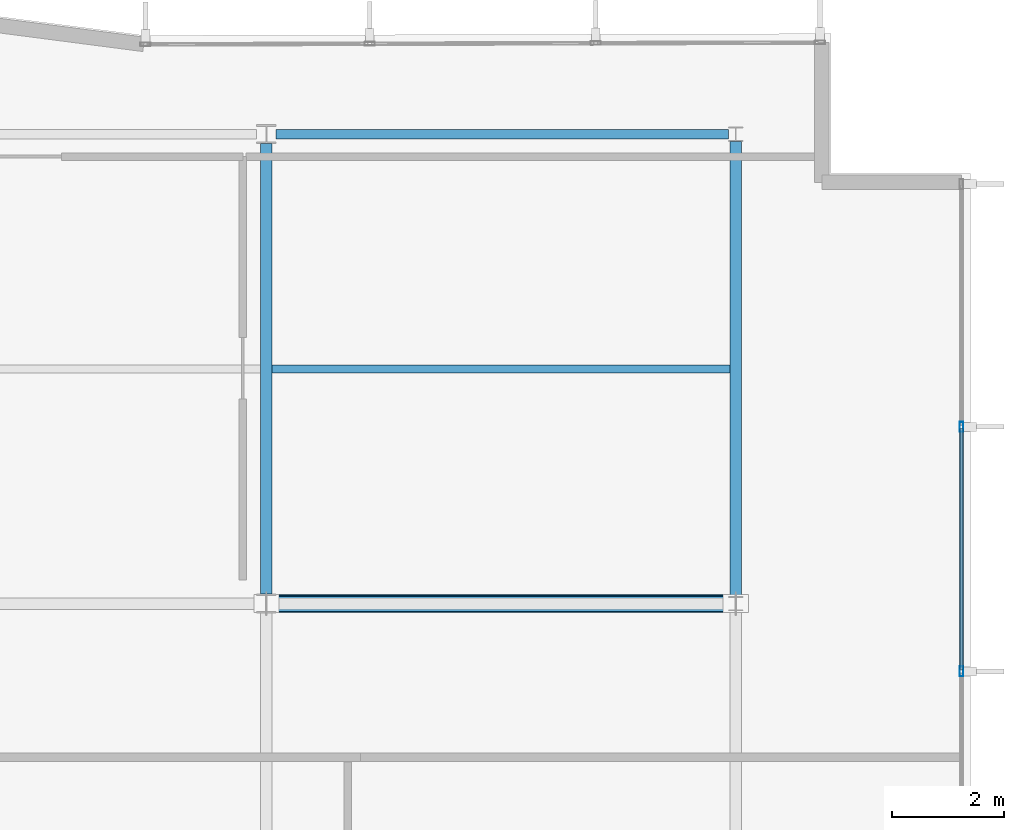
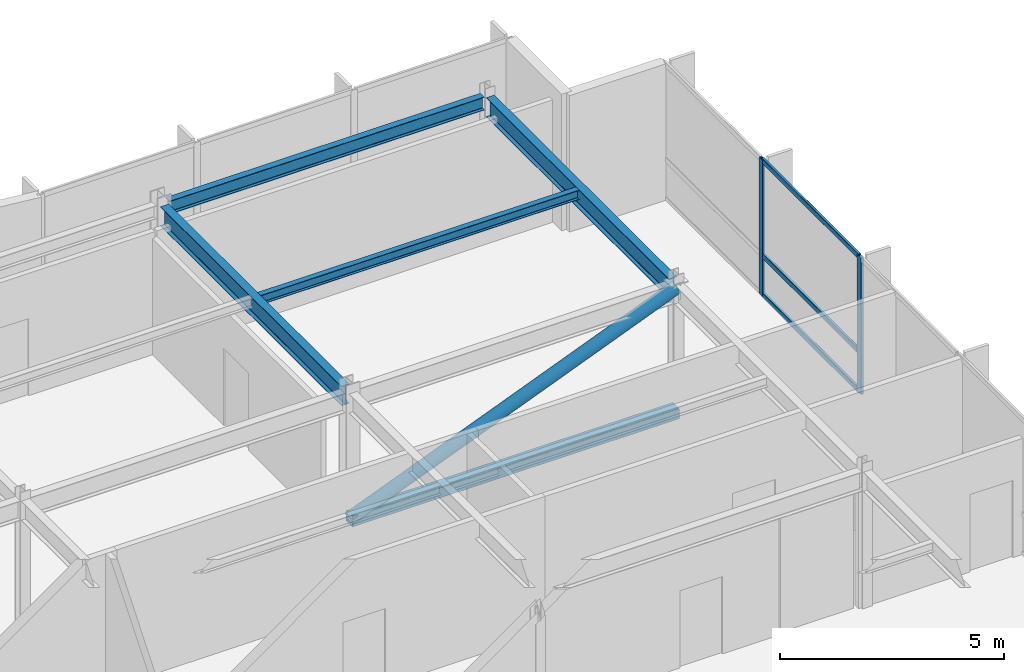
# One storey, part 9 of 19: 7 members, 4 beams, 1 element without a shape of its own.
"""IFC4 building model written with IfcOpenShell, lengths in metres."""

import ifcopenshell
import ifcopenshell.guid

model = None  # the IFC model being written
_history = None  # IfcOwnerHistory: only IFC2X3 demands one
_inside = {}  # id of a spatial element -> (the spatial element, [elements in it])
_under = {}  # id of a project, library or spatial element -> (it, [spatial elements below it])
_declared = {}  # id of a project -> (the project, [libraries it declares])
_typed = {}  # id of a type object -> (the type object, [elements of that type])
_made_of = {}  # id of a material, layer set ... -> (it, [elements and type objects made of it])


def new_model(schema):
    """Start an empty IFC model of exactly this schema.

    Asked for "IFC4X3", IfcOpenShell would pick the latest addendum, in which some entities
    have other attributes; the version numbers below select the first issue.
    IFC2X3 requires an IfcOwnerHistory on every rooted entity: one is made here for all.
    """
    global model, _history
    if schema == "IFC4X3":
        model = ifcopenshell.file(schema_version=(4, 3, 0, 0))
    else:
        model = ifcopenshell.file(schema=schema)
    _inside.clear()
    _under.clear()
    _declared.clear()
    _typed.clear()
    _made_of.clear()
    _history = None
    if model.schema == "IFC2X3":
        org = make("IfcOrganization", Name="unknown")
        user = make(
            "IfcPersonAndOrganization",
            ThePerson=make("IfcPerson", FamilyName="unknown"),
            TheOrganization=org,
        )
        app = make(
            "IfcApplication",
            ApplicationDeveloper=org,
            Version="unknown",
            ApplicationFullName="unknown",
            ApplicationIdentifier="unknown",
        )
        _history = make(
            "IfcOwnerHistory",
            OwningUser=user,
            OwningApplication=app,
            ChangeAction="ADDED",
            CreationDate=0,
        )
    return model


def make(cls, **values):
    """One entity of the class cls with the attributes given. An attribute that is None is left unset."""
    return model.create_entity(
        cls, **{name: value for name, value in values.items() if value is not None}
    )


def rooted(cls, **values):
    """An entity with a GlobalId (a new one), such as an element, a storey or a relation."""
    return make(cls, GlobalId=ifcopenshell.guid.new(), OwnerHistory=_history, **values)


def si_unit(unit_type, name, prefix=None):
    """IfcSIUnit, for example si_unit("LENGTHUNIT", "METRE", prefix="MILLI")."""
    return make("IfcSIUnit", UnitType=unit_type, Prefix=prefix, Name=name)


def assignment(units):
    """IfcUnitAssignment: the units of a project."""
    return None if units is None else make("IfcUnitAssignment", Units=units)


def point(xyz):
    """IfcCartesianPoint."""
    return None if xyz is None else make("IfcCartesianPoint", Coordinates=xyz)


def direction(xyz):
    """IfcDirection."""
    return None if xyz is None else make("IfcDirection", DirectionRatios=xyz)


def frame(location, z_axis=None, x_axis=None):
    """IfcAxis2Placement3D, a coordinate frame: its origin and axes. An axis left out is left unset."""
    return make(
        "IfcAxis2Placement3D",
        Location=point(location),
        Axis=direction(z_axis),
        RefDirection=direction(x_axis),
    )


def frame_2d(location, x_axis=None):
    """IfcAxis2Placement2D, a coordinate frame in the plane: its origin and x axis."""
    return make(
        "IfcAxis2Placement2D", Location=point(location), RefDirection=direction(x_axis)
    )


def origin():
    """The frame at (0, 0, 0) with its axes left unset."""
    return frame((0.0, 0.0, 0.0))


def origin_2d():
    """The frame at (0, 0) in the plane with its x axis left unset."""
    return frame_2d((0.0, 0.0))


def place(relative_to, where):
    """IfcLocalPlacement: puts the frame where relative to a parent placement (None: the world)."""
    return make(
        "IfcLocalPlacement", PlacementRelTo=relative_to, RelativePlacement=where
    )


def context(
    kind, dimensions, precision=None, world=None, true_north=None, identifier=None
):
    """IfcGeometricRepresentationContext, for example the 3D "Model" context."""
    return make(
        "IfcGeometricRepresentationContext",
        ContextIdentifier=identifier,
        ContextType=kind,
        CoordinateSpaceDimension=dimensions,
        Precision=precision,
        WorldCoordinateSystem=world,
        TrueNorth=true_north,
    )


def subcontext(parent, identifier, kind, view, scale=None):
    """IfcGeometricRepresentationSubContext, for example "Body" below "Model"."""
    return make(
        "IfcGeometricRepresentationSubContext",
        ContextIdentifier=identifier,
        ContextType=kind,
        ParentContext=parent,
        TargetScale=scale,
        TargetView=view,
    )


def project(units=None, contexts=None):
    """IfcProject with its units and contexts."""
    return rooted(
        "IfcProject",
        Name="project",
        RepresentationContexts=contexts,
        UnitsInContext=assignment(units),
    )


def spatial(cls, under=None, at=None, **own):
    """A site, building, storey or space (cls), placed at a placement, below another one or the project."""
    s = rooted(cls, ObjectPlacement=at, **own)
    if under is not None:
        _under.setdefault(under.id(), (under, []))[1].append(s)
    return s


def profile(cls, at=None, kind="AREA", **sizes):
    """A parametric profile (cls). Its sizes go by their IFC names, for example OverallWidth=200.0."""
    return make(cls, ProfileType=kind, Position=at, **sizes)


def hollow_rectangle(**sizes):
    """IfcRectangleHollowProfileDef."""
    return profile("IfcRectangleHollowProfileDef", **sizes)


def hollow_circle(**sizes):
    """IfcCircleHollowProfileDef."""
    return profile("IfcCircleHollowProfileDef", **sizes)


def i_section(**sizes):
    """IfcIShapeProfileDef."""
    return profile("IfcIShapeProfileDef", **sizes)


def extrude(swept, where, along, depth):
    """IfcExtrudedAreaSolid: the profile swept, set in the frame where, extruded along a direction by depth."""
    return make(
        "IfcExtrudedAreaSolid",
        SweptArea=swept,
        Position=where,
        ExtrudedDirection=direction(along),
        Depth=depth,
    )


def shape(context_of_items, identifier, shape_type, items):
    """IfcShapeRepresentation: the items that make up one representation, for example the "Body"."""
    return make(
        "IfcShapeRepresentation",
        ContextOfItems=context_of_items,
        RepresentationIdentifier=identifier,
        RepresentationType=shape_type,
        Items=items,
    )


def material(Name=None, Category=None):
    """IfcMaterial."""
    return make("IfcMaterial", Name=Name, Category=Category)


def layer(
    of_material, thickness, ventilated=None, Name=None, Category=None, Priority=None
):
    """IfcMaterialLayer: one layer of a wall or slab, of a material (None: an air gap)."""
    return make(
        "IfcMaterialLayer",
        Material=of_material,
        LayerThickness=thickness,
        IsVentilated=ventilated,
        Name=Name,
        Category=Category,
        Priority=Priority,
    )


def layer_set(layers, Name=None):
    """IfcMaterialLayerSet."""
    return make("IfcMaterialLayerSet", MaterialLayers=layers, LayerSetName=Name)


def material_profile(
    of_material, cross_section, Name=None, Category=None, Priority=None
):
    """IfcMaterialProfile: a cross section and its material."""
    return make(
        "IfcMaterialProfile",
        Name=Name,
        Material=of_material,
        Profile=cross_section,
        Priority=Priority,
        Category=Category,
    )


def profile_set(profiles, Name=None, composite=None):
    """IfcMaterialProfileSet."""
    return make(
        "IfcMaterialProfileSet",
        Name=Name,
        MaterialProfiles=profiles,
        CompositeProfile=composite,
    )


def made_of(thing, what):
    """Note that an element or type object is made of a material, layer set ...; save() writes the relation."""
    if what is not None:
        _made_of.setdefault(what.id(), (what, []))[1].append(thing)
    return thing


def type_object(cls, material=None, **own):
    """A type object (cls), such as IfcWallType, which elements share."""
    return made_of(rooted(cls, **own), material)


def element(
    cls,
    number,
    at=None,
    inside=None,
    cuts=None,
    type_object=None,
    material=None,
    context=None,
    identifier="Body",
    shape_type=None,
    held_by="IfcProductDefinitionShape",
    body=None,
    shapes=None,
    **own,
):
    """One element of the class cls, such as IfcWall. Its Tag is "e" and its number.

    at: its placement. inside: the storey or other place that contains it. cuts: it is an
    opening in that element (IfcRelVoidsElement). A single representation is given by context,
    identifier, shape_type and body (its items); several are given by shapes. held_by: the class
    of the entity that holds the representations. save() writes the other relations.
    """
    e = rooted(cls, Tag="e%d" % number, ObjectPlacement=at, **own)
    if body is not None:
        shapes = [shape(context, identifier, shape_type, body)]
    if shapes is not None:
        e.Representation = make(held_by, Representations=shapes)
    if inside is not None:
        _inside.setdefault(inside.id(), (inside, []))[1].append(e)
    if cuts is not None:
        rooted(
            "IfcRelVoidsElement", RelatingBuildingElement=cuts, RelatedOpeningElement=e
        )
    if type_object is not None:
        _typed.setdefault(type_object.id(), (type_object, []))[1].append(e)
    return made_of(e, material)


def aggregate(whole, parts):
    """IfcRelAggregates: a whole, such as a stair, and the parts it consists of."""
    return rooted("IfcRelAggregates", RelatingObject=whole, RelatedObjects=parts)


def save(model, path):
    """Write the relations noted so far, then the file.

    IfcRelAggregates (storeys below a building ...), IfcRelContainedInSpatialStructure (elements
    in a storey), IfcRelDefinesByType, IfcRelAssociatesMaterial and IfcRelDeclares: one each for
    every whole, place, type object, material and project.
    """
    for whole, parts in _under.values():
        aggregate(whole, parts)
    for where, things in _inside.values():
        rooted(
            "IfcRelContainedInSpatialStructure",
            RelatedElements=things,
            RelatingStructure=where,
        )
    for kind, things in _typed.values():
        rooted("IfcRelDefinesByType", RelatedObjects=things, RelatingType=kind)
    for what, things in _made_of.values():
        rooted("IfcRelAssociatesMaterial", RelatedObjects=things, RelatingMaterial=what)
    for by, libraries in _declared.values():
        rooted("IfcRelDeclares", RelatingContext=by, RelatedDefinitions=libraries)
    model.write(path)


model = new_model("IFC4")

# Units and contexts
model_context = context("Model", 3, precision=1e-05, world=origin(), true_north=direction((0.0, 1.0)))
body_context = subcontext(model_context, "Body", "Model", "MODEL_VIEW")
ifc_project = project(units=[si_unit("LENGTHUNIT", "METRE"), si_unit("AREAUNIT", "SQUARE_METRE"), si_unit("VOLUMEUNIT", "CUBIC_METRE"), si_unit("PLANEANGLEUNIT", "RADIAN"), si_unit("MASSUNIT", "GRAM", prefix="KILO")], contexts=[model_context])

# Site, building, storey
site_placement = place(None, origin())
site = spatial("IfcSite", under=ifc_project, at=site_placement, CompositionType="ELEMENT")
building_placement = place(site_placement, origin())
building = spatial("IfcBuilding", under=site, at=building_placement, Name="Varnakote Quay Hospital", CompositionType="ELEMENT")
storey_placement = place(building_placement, frame((0.0, 0.0, 240.75)))
storey = spatial("IfcBuildingStorey", under=building, at=storey_placement, Name="L59", CompositionType="ELEMENT", Elevation=240.75)

# Beams
ifc_material_1 = material(Name="Structural steel AS/NZS 3679.1 Grade 350 L0 (fy 340 MPa)", Category="steel")
ifc_material_profile_1 = material_profile(ifc_material_1, i_section(OverallWidth=0.208984375, OverallDepth=0.528076171875, WebThickness=0.009521484375, FlangeThickness=0.01318359375, FilletRadius=0.013916015625, at=origin_2d()), Name="530UB82.0")
ifc_profile_set_1 = profile_set([ifc_material_profile_1], Name="Structural steel AS/NZS 3679.1 Grade 350 L0 (fy 340 MPa)")
beam_type_1 = type_object("IfcBeamType", Name="BM-STL-530UB82-0", PredefinedType="BEAM", material=ifc_profile_set_1)
beam_1_placement = place(storey_placement, frame((33.60009765625, 20.570068359375, 3.446044921875), z_axis=(0.0, 1.0, 0.0), x_axis=(-1.0, 0.0, 0.0)))
element("IfcBeam", 1, at=beam_1_placement, inside=storey, type_object=beam_type_1, Name="L59 Primary Tie Beam", PredefinedType="BEAM", context=body_context, shape_type="SweptSolid", body=[
    extrude(i_section(OverallWidth=0.208984375, OverallDepth=0.528076171875, WebThickness=0.009521484375, FlangeThickness=0.01318359375, FilletRadius=0.013916015625, at=origin_2d()), origin(), (0.0, 0.0, 1.0), 8.059814453125),
])
beam_2_placement = place(storey_placement, frame((42.0, 20.527099609375, 3.446044921875), z_axis=(0.0, 1.0, 0.0), x_axis=(-1.0, 0.0, 0.0)))
element("IfcBeam", 2, at=beam_2_placement, inside=storey, type_object=beam_type_1, Name="L59 Primary Tie Beam", PredefinedType="BEAM", context=body_context, shape_type="SweptSolid", body=[
    extrude(i_section(OverallWidth=0.208984375, OverallDepth=0.528076171875, WebThickness=0.009521484375, FlangeThickness=0.01318359375, FilletRadius=0.013916015625, at=origin_2d()), origin(), (0.0, 0.0, 1.0), 8.14599609375),
])

# Curtain wall, members
ifc_material_2 = material(Name="Anodised aluminium 6063-T6 Bronze", Category="aluminium")
ifc_layer = layer(ifc_material_2, 0.235107421875)
ifc_layer_set = layer_set([ifc_layer], Name="Anodised aluminium 6063-T6 Bronze")
curtain_wall_type = type_object("IfcCurtainWallType", Name="CW-SYS-5", PredefinedType="NOTDEFINED", material=ifc_layer_set)
curtain_wall_placement = place(storey_placement, origin())
curtain_wall = element("IfcCurtainWall", 3, at=curtain_wall_placement, inside=storey, type_object=curtain_wall_type, Name="L59 Unitised Bronze Curtain Wall 1", PredefinedType="NOTDEFINED")
ifc_material_3 = material(Name="Anodised aluminium 6063-T6 Bronze", Category="aluminium")
ifc_material_profile_2 = material_profile(ifc_material_3, hollow_rectangle(XDim=0.06494140625, YDim=0.179931640625, WallThickness=0.00390625, InnerFilletRadius=0.00390625, OuterFilletRadius=0.008056640625, at=origin_2d()), Name="CW-MULL-180x65")
ifc_profile_set_2 = profile_set([ifc_material_profile_2], Name="Anodised aluminium 6063-T6 Bronze")
member_type_1 = type_object("IfcMemberType", Name="CW-MULL-180x65", PredefinedType="MULLION", material=ifc_profile_set_2)
member_1_placement = place(storey_placement, frame((46.0400390625, 19.18798828125, 0.0), z_axis=(0.0, 0.0, 1.0), x_axis=(-1.0, 0.0, 0.0)))
member_1 = element("IfcMember", 4, at=member_1_placement, type_object=member_type_1, Name="-5-L59-1 mullion 4", PredefinedType="MULLION", context=body_context, shape_type="SweptSolid", body=[
    extrude(hollow_rectangle(XDim=0.06494140625, YDim=0.179931640625, WallThickness=0.00390625, InnerFilletRadius=0.00390625, OuterFilletRadius=0.008056640625, at=origin_2d()), origin(), (0.0, 0.0, 1.0), 3.7099609375),
])
member_2_placement = place(storey_placement, frame((46.0400390625, 23.56396484375, 0.0), z_axis=(0.0, 0.0, 1.0), x_axis=(-1.0, 0.0, 0.0)))
member_2 = element("IfcMember", 5, at=member_2_placement, type_object=member_type_1, Name="-5-L59-1 mullion 5", PredefinedType="MULLION", context=body_context, shape_type="SweptSolid", body=[
    extrude(hollow_rectangle(XDim=0.06494140625, YDim=0.179931640625, WallThickness=0.00390625, InnerFilletRadius=0.00390625, OuterFilletRadius=0.008056640625, at=origin_2d()), origin(), (0.0, 0.0, 1.0), 3.7099609375),
])
ifc_material_4 = material(Name="Anodised aluminium 6063-T6 Bronze", Category="aluminium")
ifc_material_profile_3 = material_profile(ifc_material_4, hollow_rectangle(XDim=0.06494140625, YDim=0.139892578125, WallThickness=0.00390625, InnerFilletRadius=0.00390625, OuterFilletRadius=0.007568359375, at=origin_2d()), Name="CW-TRAN-140x65")
ifc_profile_set_3 = profile_set([ifc_material_profile_3], Name="Anodised aluminium 6063-T6 Bronze")
member_type_2 = type_object("IfcMemberType", Name="CW-TRAN-140x65", PredefinedType="USERDEFINED", material=ifc_profile_set_3)
member_3_placement = place(storey_placement, frame((46.0400390625, 19.220458984375, 0.032470703125), z_axis=(0.0, 1.0, 0.0), x_axis=(-1.0, 0.0, 0.0)))
member_3 = element("IfcMember", 6, at=member_3_placement, type_object=member_type_2, Name="-5-L59-1 transom 4.1", ObjectType="TRANSOM", PredefinedType="USERDEFINED", context=body_context, shape_type="SweptSolid", body=[
    extrude(hollow_rectangle(XDim=0.06494140625, YDim=0.139892578125, WallThickness=0.00390625, InnerFilletRadius=0.00390625, OuterFilletRadius=0.007568359375, at=origin_2d()), origin(), (0.0, 0.0, 1.0), 4.31103515625),
])
member_4_placement = place(storey_placement, frame((46.0400390625, 19.220458984375, 1.10009765625), z_axis=(0.0, 1.0, 0.0), x_axis=(-1.0, 0.0, 0.0)))
member_4 = element("IfcMember", 7, at=member_4_placement, type_object=member_type_2, Name="-5-L59-1 transom 4.2", ObjectType="TRANSOM", PredefinedType="USERDEFINED", context=body_context, shape_type="SweptSolid", body=[
    extrude(hollow_rectangle(XDim=0.06494140625, YDim=0.139892578125, WallThickness=0.00390625, InnerFilletRadius=0.00390625, OuterFilletRadius=0.007568359375, at=origin_2d()), origin(), (0.0, 0.0, 1.0), 4.31103515625),
])
member_5_placement = place(storey_placement, frame((46.0400390625, 19.220458984375, 3.677490234375), z_axis=(0.0, 1.0, 0.0), x_axis=(-1.0, 0.0, 0.0)))
member_5 = element("IfcMember", 8, at=member_5_placement, type_object=member_type_2, Name="-5-L59-1 transom 4.3", ObjectType="TRANSOM", PredefinedType="USERDEFINED", context=body_context, shape_type="SweptSolid", body=[
    extrude(hollow_rectangle(XDim=0.06494140625, YDim=0.139892578125, WallThickness=0.00390625, InnerFilletRadius=0.00390625, OuterFilletRadius=0.007568359375, at=origin_2d()), origin(), (0.0, 0.0, 1.0), 4.31103515625),
])
aggregate(curtain_wall, [member_1, member_2, member_3, member_4, member_5])

# Beam
ifc_material_5 = material(Name="Structural steel AS/NZS 3679.1 Grade 350 L0 (fy 340 MPa)", Category="steel")
ifc_material_profile_4 = material_profile(ifc_material_5, i_section(OverallWidth=0.14599609375, OverallDepth=0.256103515625, WebThickness=0.00634765625, FlangeThickness=0.010986328125, FilletRadius=0.0087890625, at=origin_2d()), Name="250UB37.3")
ifc_profile_set_4 = profile_set([ifc_material_profile_4], Name="Structural steel AS/NZS 3679.1 Grade 350 L0 (fy 340 MPa)")
beam_type_2 = type_object("IfcBeamType", Name="JST-STL-250UB37-3", PredefinedType="JOIST", material=ifc_profile_set_4)
beam_3_placement = place(storey_placement, frame((33.70458984375, 24.60009765625, 3.58203125), z_axis=(1.0, 0.0, 0.0), x_axis=(0.0, 1.0, 0.0)))
element("IfcBeam", 9, at=beam_3_placement, inside=storey, type_object=beam_type_2, Name="L59 Composite Floor Joist", PredefinedType="JOIST", context=body_context, shape_type="SweptSolid", body=[
    extrude(i_section(OverallWidth=0.14599609375, OverallDepth=0.256103515625, WebThickness=0.00634765625, FlangeThickness=0.010986328125, FilletRadius=0.0087890625, at=origin_2d()), origin(), (0.0, 0.0, 1.0), 8.19091796875),
])

# Members
ifc_material_6 = material(Name="Structural steel AS/NZS 1163 Grade 350 C350L0 (fy 350 MPa)", Category="steel")
ifc_material_profile_5 = material_profile(ifc_material_6, hollow_circle(Radius=0.161865234375, WallThickness=0.0126953125, at=origin_2d()), Name="323.9x12.7CHS")
ifc_profile_set_5 = profile_set([ifc_material_profile_5], Name="Structural steel AS/NZS 1163 Grade 350 C350L0 (fy 350 MPa)")
member_type_3 = type_object("IfcMemberType", Name="MBR-BRC-323-9x12-7CHS", PredefinedType="BRACE", material=ifc_profile_set_5)
member_6_placement = place(storey_placement, frame((33.60009765625, 20.39990234375, 0.179931640625), z_axis=(0.928852308332, 0.0, 0.370450252134), x_axis=(0.0, 1.0, 0.0)))
element("IfcMember", 10, at=member_6_placement, inside=storey, type_object=member_type_3, Name="L59 Sawtooth Wedge Transfer Truss Diagonal", PredefinedType="BRACE", context=body_context, shape_type="SweptSolid", body=[
    extrude(hollow_circle(Radius=0.161865234375, WallThickness=0.0126953125, at=origin_2d()), origin(), (0.0, 0.0, 1.0), 9.043212890625),
])
ifc_material_7 = material(Name="Structural steel AS/NZS 1163 Grade 350 C350L0 (fy 350 MPa)", Category="steel")
ifc_material_profile_6 = material_profile(ifc_material_7, hollow_rectangle(XDim=0.300048828125, YDim=0.300048828125, WallThickness=0.01611328125, InnerFilletRadius=0.01611328125, OuterFilletRadius=0.031982421875, at=origin_2d()), Name="300x300x16.0SHS")
ifc_profile_set_6 = profile_set([ifc_material_profile_6], Name="Structural steel AS/NZS 1163 Grade 350 C350L0 (fy 350 MPa)")
member_type_4 = type_object("IfcMemberType", Name="MBR-CHD-300x300x16-0SHS", PredefinedType="CHORD", material=ifc_profile_set_6)
member_7_placement = place(storey_placement, frame((33.60009765625, 20.39990234375, 0.179931640625), z_axis=(1.0, 0.0, 0.0), x_axis=(0.0, 1.0, 0.0)))
element("IfcMember", 11, at=member_7_placement, inside=storey, type_object=member_type_4, Name="L59 Sawtooth Wedge Transfer Truss Chord", PredefinedType="CHORD", context=body_context, shape_type="SweptSolid", body=[
    extrude(hollow_rectangle(XDim=0.300048828125, YDim=0.300048828125, WallThickness=0.01611328125, InnerFilletRadius=0.01611328125, OuterFilletRadius=0.031982421875, at=origin_2d()), origin(), (0.0, 0.0, 1.0), 8.39990234375),
])

# Beam
ifc_material_8 = material(Name="Structural steel AS/NZS 3679.1 Grade 350 L0 (fy 340 MPa)", Category="steel")
ifc_material_profile_7 = material_profile(ifc_material_8, i_section(OverallWidth=0.172119140625, OverallDepth=0.35888671875, WebThickness=0.008056640625, FlangeThickness=0.012939453125, FilletRadius=0.011474609375, at=origin_2d()), Name="360UB56.7")
ifc_profile_set_7 = profile_set([ifc_material_profile_7], Name="Structural steel AS/NZS 3679.1 Grade 350 L0 (fy 340 MPa)")
beam_type_3 = type_object("IfcBeamType", Name="SPN-STL-360UB56-7", PredefinedType="SPANDREL", material=ifc_profile_set_7)
beam_4_placement = place(storey_placement, frame((33.77490234375, 28.800048828125, 3.530517578125), z_axis=(1.0, 0.0, 0.0), x_axis=(0.0, 1.0, 0.0)))
element("IfcBeam", 12, at=beam_4_placement, inside=storey, type_object=beam_type_3, Name="L59 Perimeter Spandrel Beam", PredefinedType="SPANDREL", context=body_context, shape_type="SweptSolid", body=[
    extrude(i_section(OverallWidth=0.172119140625, OverallDepth=0.35888671875, WebThickness=0.008056640625, FlangeThickness=0.012939453125, FilletRadius=0.011474609375, at=origin_2d()), origin(), (0.0, 0.0, 1.0), 8.09814453125),
])

save(model, "model.ifc")
